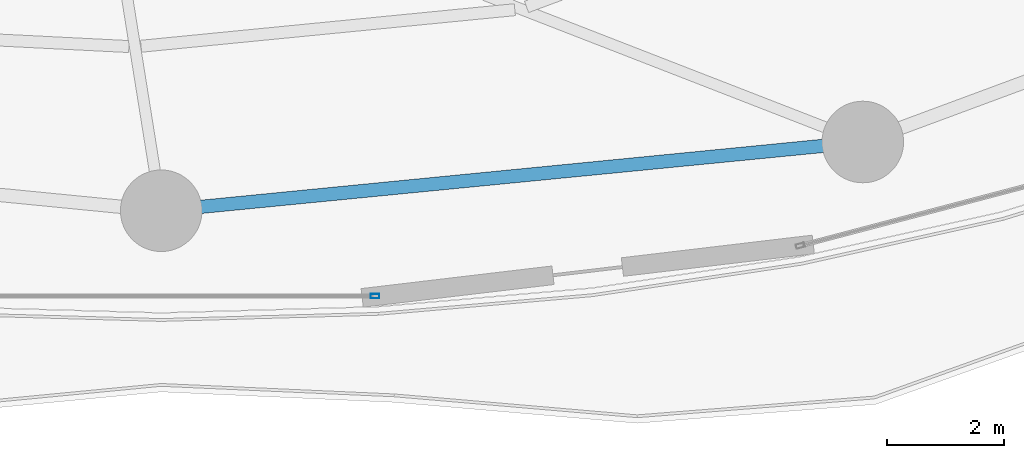
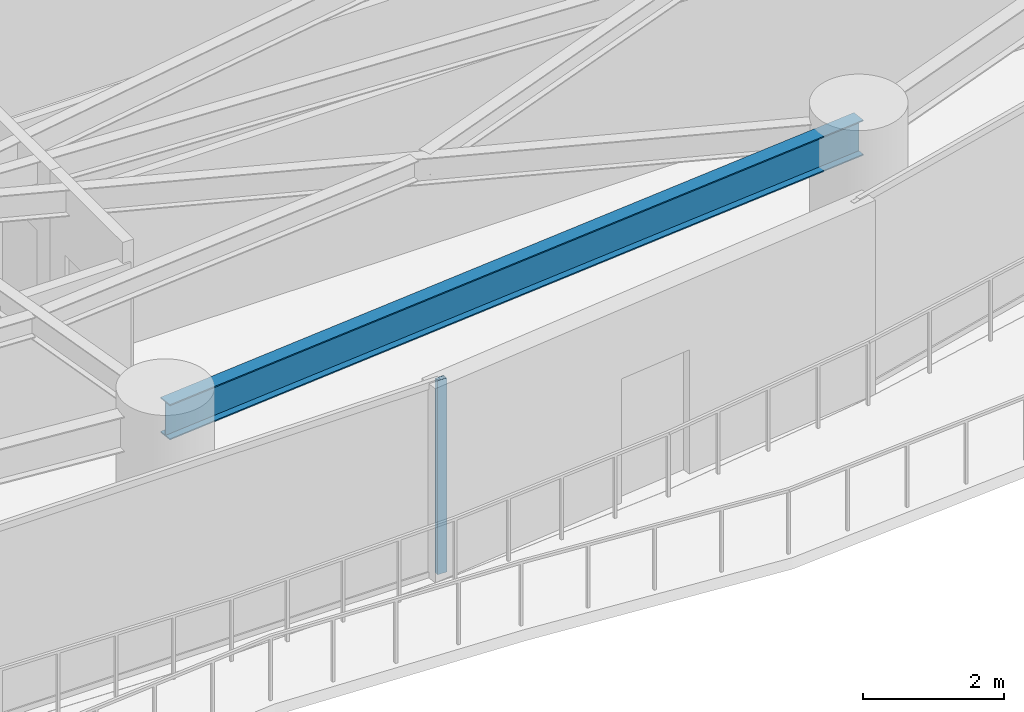
# One storey, part 10 of 30: 1 beam, 1 member, 1 element without a shape of its own.
"""IFC4 building model written with IfcOpenShell, lengths in metres."""

from ifc_helpers import new_model, si_unit, direction, frame, origin, origin_2d, place, context, subcontext, project, spatial, hollow_rectangle, i_section, extrude, material, layer, layer_set, material_profile, profile_set, type_object, element, aggregate, save


model = new_model("IFC4")

# Units and contexts
model_context = context("Model", 3, precision=1e-05, world=origin(), true_north=direction((0.0, 1.0)))
body_context = subcontext(model_context, "Body", "Model", "MODEL_VIEW")
ifc_project = project(units=[si_unit("LENGTHUNIT", "METRE"), si_unit("AREAUNIT", "SQUARE_METRE"), si_unit("VOLUMEUNIT", "CUBIC_METRE"), si_unit("PLANEANGLEUNIT", "RADIAN"), si_unit("MASSUNIT", "GRAM", prefix="KILO")], contexts=[model_context])

# Site, building, storey
site_placement = place(None, origin())
site = spatial("IfcSite", under=ifc_project, at=site_placement, CompositionType="ELEMENT")
building_placement = place(site_placement, origin())
building = spatial("IfcBuilding", under=site, at=building_placement, Name="Kazevale Care Tower and Concert Hall", CompositionType="ELEMENT")
storey_placement = place(building_placement, frame((0.0, 0.0, 74.39990234375)))
storey = spatial("IfcBuildingStorey", under=building, at=storey_placement, Name="L19", CompositionType="ELEMENT", Elevation=74.39990234375)

# Curtain wall, member
ifc_material_1 = material(Name="Aluminium 6063-T6 and Low-E Glass", Category="aluminium")
ifc_layer = layer(ifc_material_1, 0.179931640625)
ifc_layer_set = layer_set([ifc_layer], Name="Aluminium 6063-T6 and Low-E Glass")
curtain_wall_type = type_object("IfcCurtainWallType", Name="Sheltered Concave Balcony Curtain Wall CW-5", PredefinedType="NOTDEFINED", material=ifc_layer_set)
curtain_wall_placement = place(storey_placement, origin())
curtain_wall = element("IfcCurtainWall", 1, at=curtain_wall_placement, inside=storey, type_object=curtain_wall_type, Name="cw:L19:f06", PredefinedType="NOTDEFINED")
ifc_material_2 = material(Name="Aluminium 6063-T6", Category="aluminium")
ifc_material_profile_1 = material_profile(ifc_material_2, hollow_rectangle(XDim=0.074951171875, YDim=0.14990234375, WallThickness=0.00390625, at=origin_2d()), Name="ALU75x150x4")
ifc_profile_set_1 = profile_set([ifc_material_profile_1], Name="Aluminium 6063-T6")
member_type = type_object("IfcMemberType", Name="CW-5 Mullion ALU75x150x4", PredefinedType="MULLION", material=ifc_profile_set_1)
member_placement = place(storey_placement, frame((48.66943359375, 15.885986328125, 0.0), z_axis=(0.0, 0.0, 1.0), x_axis=(0.0, -1.0, 0.0)))
member = element("IfcMember", 2, at=member_placement, type_object=member_type, Name="CW-5 mullion 1", PredefinedType="MULLION", context=body_context, shape_type="SweptSolid", body=[
    extrude(hollow_rectangle(XDim=0.074951171875, YDim=0.14990234375, WallThickness=0.00390625, at=origin_2d()), origin(), (0.0, 0.0, 1.0), 3.360107421875),
])
aggregate(curtain_wall, [member])

# Beam
ifc_material_3 = material(Name="Steel ASTM A572 Gr 50", Category="steel")
ifc_material_profile_2 = material_profile(ifc_material_3, i_section(OverallWidth=0.22900390625, OverallDepth=0.612060546875, WebThickness=0.011962890625, FlangeThickness=0.01953125, at=origin_2d()), Name="W610x125")
ifc_profile_set_2 = profile_set([ifc_material_profile_2], Name="Steel ASTM A572 Gr 50")
beam_type = type_object("IfcBeamType", Name="Ring Spandrel Beam W610x125", PredefinedType="SPANDREL", material=ifc_profile_set_2)
beam_placement = place(storey_placement, frame((45.0, 17.35009765625, 3.05419921875), z_axis=(0.995232251602, 0.09753340644, 0.0), x_axis=(-0.09753340644, 0.995232251602, 0.0)))
element("IfcBeam", 3, at=beam_placement, inside=storey, type_object=beam_type, Name="beam:L19:ring:13", PredefinedType="SPANDREL", context=body_context, shape_type="SweptSolid", body=[
    extrude(i_section(OverallWidth=0.22900390625, OverallDepth=0.612060546875, WebThickness=0.011962890625, FlangeThickness=0.01953125, at=origin_2d()), origin(), (0.0, 0.0, 1.0), 12.09765625),
])

save(model, "model.ifc")
